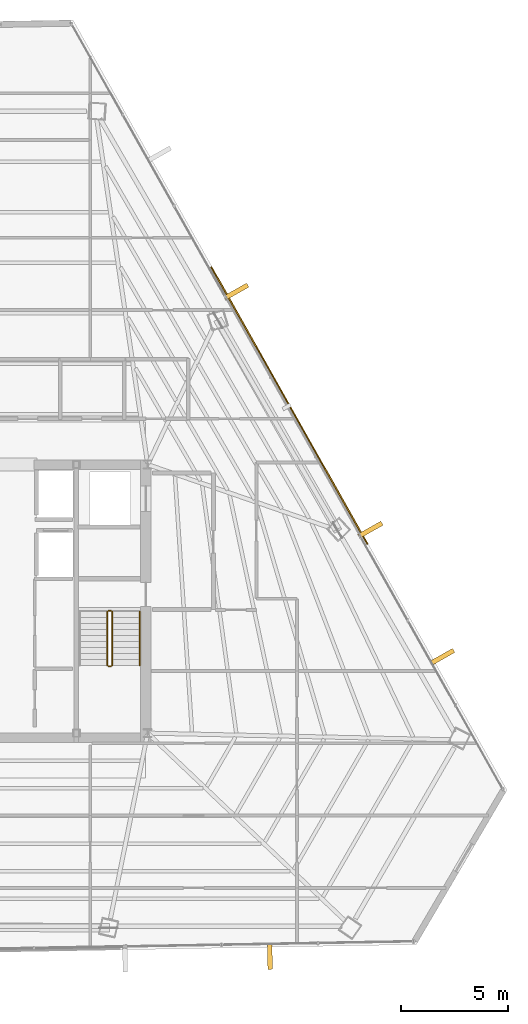
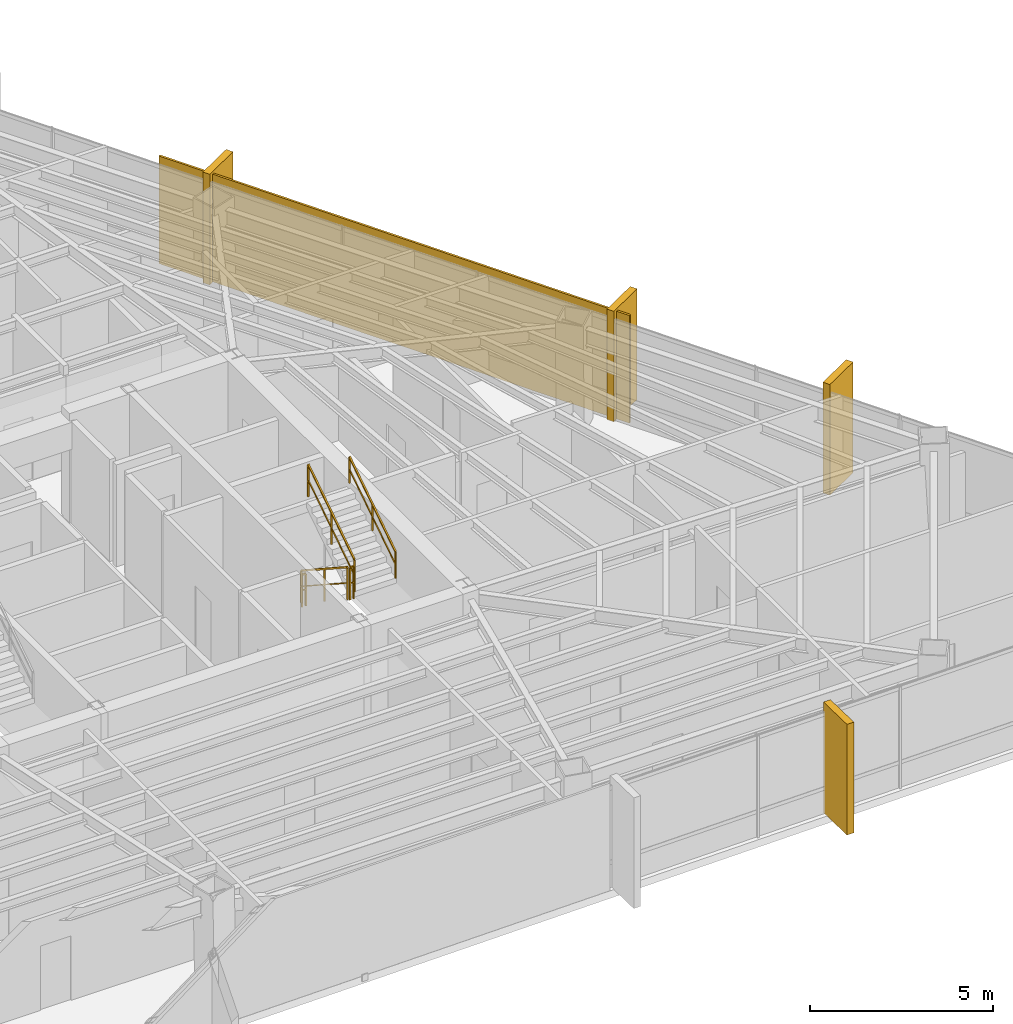
# One storey, part 41 of 42: 5 railings, 4 coverings, 1 shading device.
"""IFC4 building model written with IfcOpenShell, lengths in metres."""

from ifc_helpers import new_model, si_unit, direction, frame, origin, origin_2d, place, context, subcontext, project, spatial, rectangle, extrude, source, transform, mapped, material, layer, layer_set, type_object, type_shapes, element, save


model = new_model("IFC4")

# Units and contexts
model_context = context("Model", 3, precision=1e-05, world=origin(), true_north=direction((0.0, 1.0)))
body_context = subcontext(model_context, "Body", "Model", "MODEL_VIEW")
ifc_project = project(units=[si_unit("LENGTHUNIT", "METRE"), si_unit("AREAUNIT", "SQUARE_METRE"), si_unit("VOLUMEUNIT", "CUBIC_METRE"), si_unit("PLANEANGLEUNIT", "RADIAN"), si_unit("MASSUNIT", "GRAM", prefix="KILO")], contexts=[model_context])

# Site, building, storey
site_placement = place(None, origin())
site = spatial("IfcSite", under=ifc_project, at=site_placement, CompositionType="ELEMENT")
building_placement = place(site_placement, origin())
building = spatial("IfcBuilding", under=site, at=building_placement, Name="Caelisora Broadcast Tower", CompositionType="ELEMENT")
storey_placement = place(building_placement, frame((0.0, 0.0, 202.300048828125)))
storey = spatial("IfcBuildingStorey", under=building, at=storey_placement, Name="L53", CompositionType="ELEMENT", Elevation=202.300048828125)

# Railings
ifc_material_1 = material(Name="Galvanised Steel Safety Guardrail", Category="steel")
ifc_layer_1 = layer(ifc_material_1, 0.048095703125, Name="Galvanised Steel Safety Guardrail")
ifc_layer_set_1 = layer_set([ifc_layer_1], Name="Galvanised Steel Safety Guardrail")
railing_type_1 = type_object("IfcRailingType", Name="GR-1", PredefinedType="GUARDRAIL", material=ifc_layer_set_1)
railing_1_placement = place(storey_placement, frame((43.610107421875, 23.10009765625, 0.182373046875)))
element("IfcRailing", 1, at=railing_1_placement, inside=storey, type_object=railing_type_1, Name="L53 ST-2 stair guard 1", PredefinedType="GUARDRAIL", context=body_context, shape_type="SweptSolid", body=[
    extrude(rectangle(XDim=0.048095703125, YDim=0.048095703125, at=origin_2d()), frame((0.0, 0.0, 1.076171875), z_axis=(0.0, -0.837749427056, 0.546054848405), x_axis=(1.0, 0.0, 0.0)), (0.0, 0.0, 1.0), 3.008056640625),
    extrude(rectangle(XDim=0.03125, YDim=0.03125, at=origin_2d()), frame((0.0, 0.0, 0.550048828125), z_axis=(0.0, -0.837749427056, 0.546054848405), x_axis=(1.0, 0.0, 0.0)), (0.0, 0.0, 1.0), 3.008056640625),
    extrude(rectangle(XDim=0.0419921875, YDim=0.0419921875, at=origin_2d()), origin(), (0.0, 0.0, 1.0), 1.052001953125),
    extrude(rectangle(XDim=0.0419921875, YDim=0.0419921875, at=origin_2d()), frame((0.0, -1.260009765625, 0.8212890625)), (0.0, 0.0, 1.0), 1.052001953125),
    extrude(rectangle(XDim=0.0419921875, YDim=0.0419921875, at=origin_2d()), frame((0.0, -2.52001953125, 1.642578125)), (0.0, 0.0, 1.0), 1.052001953125),
])
railing_2_placement = place(storey_placement, frame((43.659912109375, 20.530029296875, 1.824951171875)))
element("IfcRailing", 2, at=railing_2_placement, inside=storey, type_object=railing_type_1, Name="L53 ST-2 stair guard 2", PredefinedType="GUARDRAIL", context=body_context, shape_type="SweptSolid", body=[
    extrude(rectangle(XDim=0.048095703125, YDim=0.048095703125, at=origin_2d()), frame((0.0, 0.0, 1.076171875), z_axis=(1.0, 0.0, 0.0), x_axis=(0.0, 1.0, 0.0)), (0.0, 0.0, 1.0), 0.1201171875),
    extrude(rectangle(XDim=0.03125, YDim=0.03125, at=origin_2d()), frame((0.0, 0.0, 0.550048828125), z_axis=(1.0, 0.0, 0.0), x_axis=(0.0, 1.0, 0.0)), (0.0, 0.0, 1.0), 0.1201171875),
    extrude(rectangle(XDim=0.0419921875, YDim=0.0419921875, at=origin_2d()), origin(), (0.0, 0.0, 1.0), 1.052001953125),
    extrude(rectangle(XDim=0.0419921875, YDim=0.0419921875, at=origin_2d()), frame((0.1201171875, 0.0, 0.0)), (0.0, 0.0, 1.0), 1.052001953125),
])
railing_3_placement = place(storey_placement, frame((43.830078125, 20.580078125, 2.007568359375)))
element("IfcRailing", 3, at=railing_3_placement, inside=storey, type_object=railing_type_1, Name="L53 ST-2 stair guard 3", PredefinedType="GUARDRAIL", context=body_context, shape_type="SweptSolid", body=[
    extrude(rectangle(XDim=0.048095703125, YDim=0.048095703125, at=origin_2d()), frame((0.0, 0.0, 1.076171875), z_axis=(0.0, 0.837786554691, 0.545997883492), x_axis=(-1.0, 0.0, 0.0)), (0.0, 0.0, 1.0), 3.008056640625),
    extrude(rectangle(XDim=0.03125, YDim=0.03125, at=origin_2d()), frame((0.0, 0.0, 0.550048828125), z_axis=(0.0, 0.837786554691, 0.545997883492), x_axis=(-1.0, 0.0, 0.0)), (0.0, 0.0, 1.0), 3.008056640625),
    extrude(rectangle(XDim=0.0419921875, YDim=0.0419921875, at=origin_2d()), origin(), (0.0, 0.0, 1.0), 1.052001953125),
    extrude(rectangle(XDim=0.0419921875, YDim=0.0419921875, at=origin_2d()), frame((0.0, 1.260009765625, 0.8212890625)), (0.0, 0.0, 1.0), 1.052001953125),
    extrude(rectangle(XDim=0.0419921875, YDim=0.0419921875, at=origin_2d()), frame((0.0, 2.52001953125, 1.642333984375)), (0.0, 0.0, 1.0), 1.052001953125),
])
railing_4_placement = place(storey_placement, frame((43.659912109375, 23.14990234375, 0.0)))
element("IfcRailing", 4, at=railing_4_placement, inside=storey, type_object=railing_type_1, Name="L53 ST-2 stair guard 4", PredefinedType="GUARDRAIL", context=body_context, shape_type="SweptSolid", body=[
    extrude(rectangle(XDim=0.048095703125, YDim=0.048095703125, at=origin_2d()), frame((0.0, 0.0, 1.076171875), z_axis=(1.0, 0.0, 0.0), x_axis=(0.0, 1.0, 0.0)), (0.0, 0.0, 1.0), 0.1201171875),
    extrude(rectangle(XDim=0.03125, YDim=0.03125, at=origin_2d()), frame((0.0, 0.0, 0.550048828125), z_axis=(1.0, 0.0, 0.0), x_axis=(0.0, 1.0, 0.0)), (0.0, 0.0, 1.0), 0.1201171875),
    extrude(rectangle(XDim=0.0419921875, YDim=0.0419921875, at=origin_2d()), origin(), (0.0, 0.0, 1.0), 1.052001953125),
    extrude(rectangle(XDim=0.0419921875, YDim=0.0419921875, at=origin_2d()), frame((0.1201171875, 0.0, 0.0)), (0.0, 0.0, 1.0), 1.052001953125),
])
ifc_material_2 = material(Name="Stainless Steel Grade 316 Tubular Handrail", Category="steel")
ifc_layer_2 = layer(ifc_material_2, 0.048095703125, Name="Stainless Steel Grade 316 Tubular Handrail")
ifc_layer_set_2 = layer_set([ifc_layer_2], Name="Stainless Steel Grade 316 Tubular Handrail")
railing_type_2 = type_object("IfcRailingType", Name="HR-1", PredefinedType="HANDRAIL", material=ifc_layer_set_2)
railing_5_placement = place(storey_placement, frame((45.1298828125, 20.580078125, 2.007568359375)))
element("IfcRailing", 5, at=railing_5_placement, inside=storey, type_object=railing_type_2, Name="L53 ST-2 stair handrail 2", PredefinedType="HANDRAIL", context=body_context, shape_type="SweptSolid", body=[
    extrude(rectangle(XDim=0.048095703125, YDim=0.048095703125, at=origin_2d()), frame((0.0, 0.0, 0.8759765625), z_axis=(0.0, 0.837786554691, 0.545997883492), x_axis=(-1.0, 0.0, 0.0)), (0.0, 0.0, 1.0), 3.008056640625),
    extrude(rectangle(XDim=0.03125, YDim=0.03125, at=origin_2d()), frame((0.0, 0.0, 0.449951171875), z_axis=(0.0, 0.837786554691, 0.545997883492), x_axis=(-1.0, 0.0, 0.0)), (0.0, 0.0, 1.0), 3.008056640625),
    extrude(rectangle(XDim=0.0419921875, YDim=0.0419921875, at=origin_2d()), origin(), (0.0, 0.0, 1.0), 0.851806640625),
    extrude(rectangle(XDim=0.0419921875, YDim=0.0419921875, at=origin_2d()), frame((0.0, 1.260009765625, 0.8212890625)), (0.0, 0.0, 1.0), 0.851806640625),
    extrude(rectangle(XDim=0.0419921875, YDim=0.0419921875, at=origin_2d()), frame((0.0, 2.52001953125, 1.642333984375)), (0.0, 0.0, 1.0), 0.851806640625),
])

# Coverings
ifc_material_3 = material(Name="Kiln-Fired Terracotta Spandrel Rainscreen Cladding", Category="ceramic")
ifc_layer_3 = layer(ifc_material_3, 0.044921875, Name="Kiln-Fired Terracotta Spandrel Rainscreen Cladding")
ifc_layer_set_3 = layer_set([ifc_layer_3], Name="Kiln-Fired Terracotta Spandrel Rainscreen Cladding")
covering_type = type_object("IfcCoveringType", Name="CL-1", PredefinedType="CLADDING", material=ifc_layer_set_3)
shared_shape_1 = source(origin(), body_context, "Body", "SweptSolid", [
    extrude(rectangle(XDim=0.219970703125, YDim=1.25, at=origin_2d()), origin(), (0.0, 0.0, 1.0), 3.68994140625),
])
type_shapes(covering_type, [shared_shape_1])
for number, where, z_axis, x_axis, name in (
    (6, (49.65087890625, 38.11328125, -0.02001953125), (0.0, 0.0, 1.0), (0.490903753615, -0.87121381112, 0.0), "L53 vertical solar fin cladding #1-2"),
    (7, (55.9462890625, 26.942138671875, -0.02001953125), (0.0, 0.0, 1.0), (0.490903753615, -0.87121381112, 0.0), "L53 vertical solar fin cladding #1-3"),
    (8, (59.31103515625, 20.97119140625, -0.02001953125), (0.0, 0.0, 1.0), (0.490903753615, -0.87121381112, 0.0), "L53 vertical solar fin cladding #1-4"),
    (9, (51.233642578125, 6.945556640625, -0.02001953125), (0.0, 0.0, 1.0), (-0.999841542203, -0.017801418053, 0.0), "L53 vertical solar fin cladding #2-1"),
):
    element("IfcCovering", number, at=place(storey_placement, frame(where, z_axis=z_axis, x_axis=x_axis)), inside=storey, type_object=covering_type, Name=name, PredefinedType="CLADDING", context=body_context, shape_type="MappedRepresentation", body=[
        mapped(shared_shape_1, transform((0.0, 0.0, 0.0), scale=1.0)),
    ])

# Shading device
ifc_material_4 = material(Name="Perforated Glazed Terracotta Baguette Solar Screen", Category="ceramic")
ifc_layer_4 = layer(ifc_material_4, 0.06494140625, Name="Perforated Glazed Terracotta Baguette Solar Screen")
ifc_layer_set_4 = layer_set([ifc_layer_4], Name="Perforated Glazed Terracotta Baguette Solar Screen")
shading_device_type = type_object("IfcShadingDeviceType", Name="SS-1", PredefinedType="USERDEFINED", material=ifc_layer_set_4)
shared_shape_2 = source(origin(), body_context, "Body", "SweptSolid", [
    extrude(rectangle(XDim=14.931884765625, YDim=0.06494140625, at=origin_2d()), origin(), (0.0, 0.0, 1.0), 3.590087890625),
])
type_shapes(shading_device_type, [shared_shape_2])
shading_device_placement = place(storey_placement, frame((52.145263671875, 32.77099609375, 0.0), z_axis=(0.0, 0.0, 1.0), x_axis=(-0.490903753615, 0.87121381112, 0.0)))
element("IfcShadingDevice", 10, at=shading_device_placement, inside=storey, type_object=shading_device_type, Name="L53 perforated terracotta solar screen #3", ObjectType="SOLAR SCREEN", PredefinedType="USERDEFINED", context=body_context, shape_type="MappedRepresentation", body=[
    mapped(shared_shape_2, transform((0.0, 0.0, 0.0), scale=1.0)),
])

save(model, "model.ifc")
